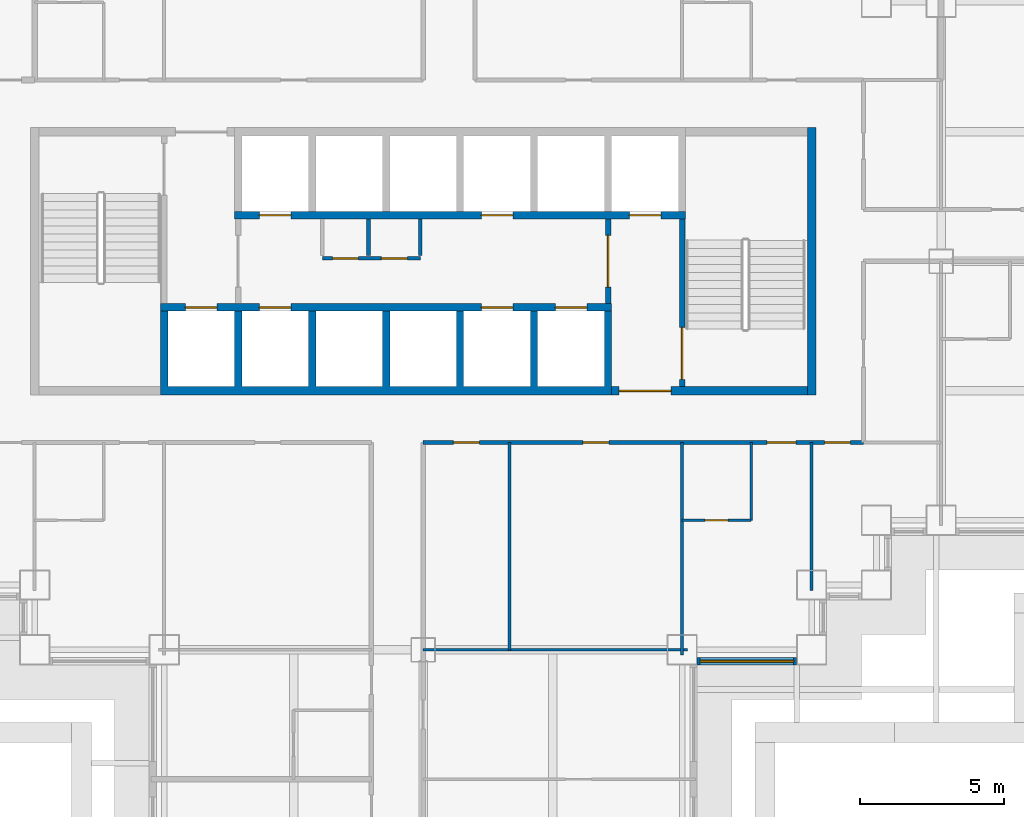
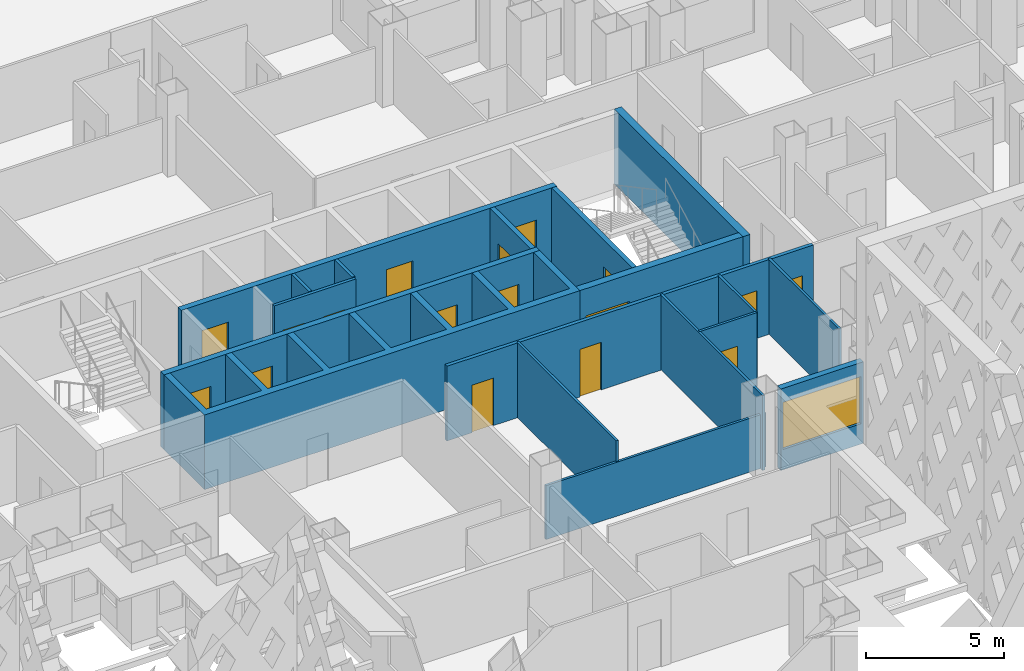
# One storey, part 5 of 19: 18 walls, 17 doors, 1 window, 18 openings.
"""IFC4 building model written with IfcOpenShell, lengths in metres."""

from ifc_helpers import new_model, si_unit, direction, frame, frame_2d, origin, place, context, subcontext, project, spatial, polyline, rectangle, outline, extrude, material, layer, layer_set, type_object, element, fill, save


model = new_model("IFC4")

# Units and contexts
model_context = context("Model", 3, precision=1e-05, world=origin(), true_north=direction((0.0, 1.0)))
body_context = subcontext(model_context, "Body", "Model", "MODEL_VIEW")
ifc_project = project(units=[si_unit("LENGTHUNIT", "METRE"), si_unit("AREAUNIT", "SQUARE_METRE"), si_unit("VOLUMEUNIT", "CUBIC_METRE"), si_unit("PLANEANGLEUNIT", "RADIAN"), si_unit("MASSUNIT", "GRAM", prefix="KILO")], contexts=[model_context])

# Site, building, storey
site_placement = place(None, origin())
site = spatial("IfcSite", under=ifc_project, at=site_placement, CompositionType="ELEMENT")
building_placement = place(site_placement, origin())
building = spatial("IfcBuilding", under=site, at=building_placement, Name="Caravel Reach Hotel and Residences", CompositionType="ELEMENT")
storey_placement = place(building_placement, frame((0.0, 0.0, 52.800048828125)))
storey = spatial("IfcBuildingStorey", under=building, at=storey_placement, Name="L11", CompositionType="ELEMENT", Elevation=52.800048828125)

# Wall, opening, door
ifc_material_1 = material(Name="Gypsum board on steel stud", Category="steel")
ifc_layer_1 = layer(ifc_material_1, 0.10009765625)
ifc_layer_set_1 = layer_set([ifc_layer_1], Name="Bathroom pod wall 100 mm")
wall_type_1 = type_object("IfcWallType", Name="Bathroom pod wall 100 mm", PredefinedType="PARTITIONING", material=ifc_layer_set_1)
wall_1_placement = place(storey_placement, frame((40.5, 18.0, 0.0), z_axis=(0.0, 0.0, 1.0), x_axis=(1.0, 0.0, 0.0)))
wall_1 = element("IfcWall", 1, at=wall_1_placement, inside=storey, type_object=wall_type_1, Name="L11 wall w076", PredefinedType="PARTITIONING", context=body_context, shape_type="SweptSolid", body=[
    extrude(rectangle(XDim=2.39990234375, YDim=0.10009765625, at=frame_2d((1.199951171875, 0.0))), origin(), (0.0, 0.0, 1.0), 3.300048828125),
])
opening_1_placement = place(wall_1_placement, frame((0.800048828125, 0.0, 0.0)))
opening_1 = element("IfcOpeningElement", 2, at=opening_1_placement, cuts=wall_1, Name="Opening D11-051", PredefinedType="OPENING", context=body_context, shape_type="SweptSolid", body=[
    extrude(rectangle(XDim=0.800048828125, YDim=2.10009765625, at=frame_2d((0.39990234375, 1.050048828125))), frame((0.0, 0.06005859375, 0.0), z_axis=(0.0, -1.0, 0.0), x_axis=(1.0, 0.0, 0.0)), (0.0, 0.0, 1.0), 0.1201171875),
])
ifc_material_2 = material(Name="Timber and steel door leaf", Category="steel")
door_type_1 = type_object("IfcDoorType", Name="Bathroom door 800 x 2100", OperationType="SINGLE_SWING_LEFT", PredefinedType="DOOR", material=ifc_material_2)
door_1_placement = place(opening_1_placement, origin())
door_1 = element("IfcDoor", 3, at=door_1_placement, inside=storey, type_object=door_type_1, Name="door D11-051", OperationType="SINGLE_SWING_LEFT", OverallHeight=2.10009765625, OverallWidth=0.800048828125, PredefinedType="DOOR", context=body_context, shape_type="SweptSolid", body=[
    extrude(rectangle(XDim=0.800048828125, YDim=2.10009765625, at=frame_2d((0.39990234375, 1.050048828125))), frame((0.0, 0.02490234375, 0.0), z_axis=(0.0, -1.0, 0.0), x_axis=(1.0, 0.0, 0.0)), (0.0, 0.0, 1.0), 0.050048828125),
])
fill(opening_1, door_1)

# Wall
wall_2_placement = place(storey_placement, frame((42.89990234375, 18.0, 0.0), z_axis=(0.0, 0.0, 1.0), x_axis=(0.0, 1.0, 0.0)))
element("IfcWall", 4, at=wall_2_placement, inside=storey, type_object=wall_type_1, Name="L11 wall w098", PredefinedType="PARTITIONING", context=body_context, shape_type="SweptSolid", body=[
    extrude(rectangle(XDim=2.699951171875, YDim=0.10009765625, at=frame_2d((1.35009765625, 0.0))), origin(), (0.0, 0.0, 1.0), 3.300048828125),
])

# Wall, opening, door
ifc_material_3 = material(Name="Concrete C60", Category="concrete")
ifc_layer_2 = layer(ifc_material_3, 0.300048828125)
ifc_layer_set_2 = layer_set([ifc_layer_2], Name="Core wall 300 mm EI 120")
wall_type_2 = type_object("IfcWallType", Name="Core wall 300 mm EI 120", PredefinedType="SHEAR", material=ifc_layer_set_2)
wall_3_placement = place(storey_placement, frame((38.053466796875, 22.5, 0.0), z_axis=(0.0, 0.0, 1.0), x_axis=(1.0, 0.0, 0.0)))
wall_3 = element("IfcWall", 5, at=wall_3_placement, inside=storey, type_object=wall_type_2, Name="L11 core wall S2", PredefinedType="SHEAR", context=body_context, shape_type="SweptSolid", body=[
    extrude(rectangle(XDim=6.796630859375, YDim=0.300048828125, at=frame_2d((3.3984375, 0.0))), origin(), (0.0, 0.0, 1.0), 3.300048828125),
])
opening_2_placement = place(wall_3_placement, frame((0.2607421875, 0.0, 0.0)))
opening_2 = element("IfcOpeningElement", 6, at=opening_2_placement, cuts=wall_3, Name="Opening D11-015", PredefinedType="OPENING", context=body_context, shape_type="SweptSolid", body=[
    extrude(rectangle(XDim=1.800048828125, YDim=2.10009765625, at=frame_2d((0.89990234375, 1.050048828125))), frame((0.0, 0.159912109375, 0.0), z_axis=(0.0, -1.0, 0.0), x_axis=(1.0, 0.0, 0.0)), (0.0, 0.0, 1.0), 0.320068359375),
])
ifc_material_4 = material(Name="Steel fire door leaf", Category="steel")
door_type_2 = type_object("IfcDoorType", Name="Fire lobby door pair 1800 x 2100 EI 90", OperationType="DOUBLE_DOOR_SINGLE_SWING", PredefinedType="DOOR", material=ifc_material_4)
door_2_placement = place(opening_2_placement, origin())
door_2 = element("IfcDoor", 7, at=door_2_placement, inside=storey, type_object=door_type_2, Name="lobby S door pair to corridor", OperationType="DOUBLE_DOOR_SINGLE_SWING", OverallHeight=2.10009765625, OverallWidth=1.800048828125, PredefinedType="DOOR", context=body_context, shape_type="SweptSolid", body=[
    extrude(rectangle(XDim=1.800048828125, YDim=2.10009765625, at=frame_2d((0.89990234375, 1.050048828125))), frame((0.0, 0.02490234375, 0.0), z_axis=(0.0, -1.0, 0.0), x_axis=(1.0, 0.0, 0.0)), (0.0, 0.0, 1.0), 0.050048828125),
])
fill(opening_2, door_2)

# Wall
wall_4_placement = place(storey_placement, frame((45.0, 22.35009765625, 0.0), z_axis=(0.0, 0.0, 1.0), x_axis=(0.0, 1.0, 0.0)))
element("IfcWall", 8, at=wall_4_placement, inside=storey, type_object=wall_type_2, Name="L11 core wall E", PredefinedType="SHEAR", context=body_context, shape_type="SweptSolid", body=[
    extrude(rectangle(XDim=9.2998046875, YDim=0.300048828125, at=frame_2d((4.64990234375, 0.0))), origin(), (0.0, 0.0, 1.0), 3.300048828125),
])

# Wall, openings, doors
ifc_material_5 = material(Name="Gypsum board on steel stud, fire-rated", Category="steel")
ifc_layer_3 = layer(ifc_material_5, 0.14990234375)
ifc_layer_set_3 = layer_set([ifc_layer_3], Name="Corridor wall 150 mm EI 60")
wall_type_3 = type_object("IfcWallType", Name="Corridor wall 150 mm EI 60", PredefinedType="PARTITIONING", material=ifc_layer_set_3)
wall_5_placement = place(storey_placement, frame((31.5, 20.699951171875, 0.0), z_axis=(0.0, 0.0, 1.0), x_axis=(1.0, 0.0, 0.0)))
wall_5 = element("IfcWall", 9, at=wall_5_placement, inside=storey, type_object=wall_type_3, Name="L11 wall w004", PredefinedType="PARTITIONING", context=body_context, shape_type="SweptSolid", body=[
    extrude(rectangle(XDim=15.300048828125, YDim=0.14990234375, at=frame_2d((7.64990234375, 0.0))), origin(), (0.0, 0.0, 1.0), 3.300048828125),
])
opening_3_placement = place(wall_5_placement, frame((11.949951171875, 0.0, 0.0)))
opening_3 = element("IfcOpeningElement", 10, at=opening_3_placement, cuts=wall_5, Name="Opening D11-050", PredefinedType="OPENING", context=body_context, shape_type="SweptSolid", body=[
    extrude(rectangle(XDim=1.0, YDim=2.10009765625, at=frame_2d((0.5, 1.050048828125))), frame((0.0, 0.0849609375, 0.0), z_axis=(0.0, -1.0, 0.0), x_axis=(1.0, 0.0, 0.0)), (0.0, 0.0, 1.0), 0.169921875),
])
opening_4_placement = place(wall_5_placement, frame((13.949951171875, 0.0, 0.0)))
opening_4 = element("IfcOpeningElement", 11, at=opening_4_placement, cuts=wall_5, Name="Opening D11-052", PredefinedType="OPENING", context=body_context, shape_type="SweptSolid", body=[
    extrude(rectangle(XDim=0.89990234375, YDim=2.10009765625, at=frame_2d((0.449951171875, 1.050048828125))), frame((0.0, 0.0849609375, 0.0), z_axis=(0.0, -1.0, 0.0), x_axis=(1.0, 0.0, 0.0)), (0.0, 0.0, 1.0), 0.169921875),
])
opening_5_placement = place(wall_5_placement, frame((1.050048828125, 0.0, 0.0)))
opening_5 = element("IfcOpeningElement", 12, at=opening_5_placement, cuts=wall_5, Name="Opening D11-056", PredefinedType="OPENING", context=body_context, shape_type="SweptSolid", body=[
    extrude(rectangle(XDim=0.89990234375, YDim=2.10009765625, at=frame_2d((0.449951171875, 1.050048828125))), frame((0.0, 0.0849609375, 0.0), z_axis=(0.0, -1.0, 0.0), x_axis=(1.0, 0.0, 0.0)), (0.0, 0.0, 1.0), 0.169921875),
])
opening_6_placement = place(wall_5_placement, frame((5.550048828125, 0.0, 0.0)))
opening_6 = element("IfcOpeningElement", 13, at=opening_6_placement, cuts=wall_5, Name="Opening D11-057", PredefinedType="OPENING", context=body_context, shape_type="SweptSolid", body=[
    extrude(rectangle(XDim=0.89990234375, YDim=2.10009765625, at=frame_2d((0.449951171875, 1.050048828125))), frame((0.0, 0.0849609375, 0.0), z_axis=(0.0, -1.0, 0.0), x_axis=(1.0, 0.0, 0.0)), (0.0, 0.0, 1.0), 0.169921875),
])
ifc_material_6 = material(Name="Timber and steel door leaf", Category="steel")
door_type_3 = type_object("IfcDoorType", Name="Door 900 x 2100 timber", OperationType="SINGLE_SWING_LEFT", PredefinedType="DOOR", material=ifc_material_6)
door_3_placement = place(opening_4_placement, origin())
door_3 = element("IfcDoor", 14, at=door_3_placement, inside=storey, type_object=door_type_3, Name="door D11-052", OperationType="SINGLE_SWING_RIGHT", OverallHeight=2.10009765625, OverallWidth=0.89990234375, PredefinedType="DOOR", context=body_context, shape_type="SweptSolid", body=[
    extrude(rectangle(XDim=0.89990234375, YDim=2.10009765625, at=frame_2d((0.449951171875, 1.050048828125))), frame((0.0, 0.02490234375, 0.0), z_axis=(0.0, -1.0, 0.0), x_axis=(1.0, 0.0, 0.0)), (0.0, 0.0, 1.0), 0.050048828125),
])
fill(opening_4, door_3)
door_4_placement = place(opening_5_placement, origin())
door_4 = element("IfcDoor", 15, at=door_4_placement, inside=storey, type_object=door_type_3, Name="door D11-056", OperationType="SINGLE_SWING_LEFT", OverallHeight=2.10009765625, OverallWidth=0.89990234375, PredefinedType="DOOR", context=body_context, shape_type="SweptSolid", body=[
    extrude(rectangle(XDim=0.89990234375, YDim=2.10009765625, at=frame_2d((0.449951171875, 1.050048828125))), frame((0.0, 0.02490234375, 0.0), z_axis=(0.0, -1.0, 0.0), x_axis=(1.0, 0.0, 0.0)), (0.0, 0.0, 1.0), 0.050048828125),
])
fill(opening_5, door_4)
door_5_placement = place(opening_6_placement, origin())
door_5 = element("IfcDoor", 16, at=door_5_placement, inside=storey, type_object=door_type_3, Name="door D11-057", OperationType="SINGLE_SWING_RIGHT", OverallHeight=2.10009765625, OverallWidth=0.89990234375, PredefinedType="DOOR", context=body_context, shape_type="SweptSolid", body=[
    extrude(rectangle(XDim=0.89990234375, YDim=2.10009765625, at=frame_2d((0.449951171875, 1.050048828125))), frame((0.0, 0.02490234375, 0.0), z_axis=(0.0, -1.0, 0.0), x_axis=(1.0, 0.0, 0.0)), (0.0, 0.0, 1.0), 0.050048828125),
])
fill(opening_6, door_5)
ifc_material_7 = material(Name="Steel fire door leaf", Category="steel")
door_type_4 = type_object("IfcDoorType", Name="Guest room door 1000 x 2100 EI 30", OperationType="SINGLE_SWING_LEFT", PredefinedType="DOOR", material=ifc_material_7)
door_6_placement = place(opening_3_placement, origin())
door_6 = element("IfcDoor", 17, at=door_6_placement, inside=storey, type_object=door_type_4, Name="door D11-050", OperationType="SINGLE_SWING_RIGHT", OverallHeight=2.10009765625, OverallWidth=1.0, PredefinedType="DOOR", context=body_context, shape_type="SweptSolid", body=[
    extrude(rectangle(XDim=1.0, YDim=2.10009765625, at=frame_2d((0.5, 1.050048828125))), frame((0.0, 0.02490234375, 0.0), z_axis=(0.0, -1.0, 0.0), x_axis=(1.0, 0.0, 0.0)), (0.0, 0.0, 1.0), 0.050048828125),
])
fill(opening_3, door_6)

# Wall, opening, window
ifc_material_8 = material(Name="Insulated rainscreen wall, aluminium cladding", Category="aluminium")
ifc_layer_4 = layer(ifc_material_8, 0.25)
ifc_layer_set_4 = layer_set([ifc_layer_4], Name="EW1 Tower rainscreen wall")
wall_type_4 = type_object("IfcWallType", Name="EW1 Tower rainscreen wall", PredefinedType="SOLIDWALL", material=ifc_layer_set_4)
wall_6_placement = place(storey_placement, frame((41.02490234375, 13.10009765625, 0.0), z_axis=(0.0, 0.0, 1.0), x_axis=(1.0, 0.0, 0.0)))
wall_6 = element("IfcWall", 18, at=wall_6_placement, inside=storey, type_object=wall_type_4, Name="External wall L11 S11.1", PredefinedType="SOLIDWALL", context=body_context, shape_type="SweptSolid", body=[
    extrude(rectangle(XDim=3.4501953125, YDim=0.25, at=frame_2d((1.72509765625, 0.0))), origin(), (0.0, 0.0, 1.0), 3.599853515625),
])
opening_7_placement = place(wall_6_placement, frame((0.10009765625, 0.0, 0.89990234375)))
opening_7 = element("IfcOpeningElement", 19, at=opening_7_placement, cuts=wall_6, Name="Opening WN2", PredefinedType="OPENING", context=body_context, shape_type="SweptSolid", body=[
    extrude(rectangle(XDim=3.25, YDim=2.080078125, at=frame_2d((1.625, 1.0400390625))), frame((0.0, 0.135009765625, 0.0), z_axis=(0.0, -1.0, 0.0), x_axis=(1.0, 0.0, 0.0)), (0.0, 0.0, 1.0), 0.27001953125),
])
ifc_material_9 = material(Name="Dark low-e glazing in black aluminium frame", Category="aluminium")
window_type = type_object("IfcWindowType", Name="Hotel guest room window 3250 x 2080", PartitioningType="SINGLE_PANEL", PredefinedType="WINDOW", material=ifc_material_9)
window_placement = place(opening_7_placement, origin())
window = element("IfcWindow", 20, at=window_placement, inside=storey, type_object=window_type, Name="Window L11 S11.1.1", OverallHeight=2.080078125, OverallWidth=3.25, PartitioningType="SINGLE_PANEL", PredefinedType="WINDOW", context=body_context, shape_type="SweptSolid", body=[
    extrude(rectangle(XDim=3.25, YDim=2.080078125, at=frame_2d((1.625, 1.0400390625))), frame((0.0, 0.030029296875, 0.0), z_axis=(0.0, -1.0, 0.0), x_axis=(1.0, 0.0, 0.0)), (0.0, 0.0, 1.0), 0.06005859375),
])
fill(opening_7, window)

# Wall, opening, door
ifc_material_10 = material(Name="Autoclaved aerated block wall")
ifc_layer_5 = layer(ifc_material_10, 0.199951171875)
ifc_layer_set_5 = layer_set([ifc_layer_5], Name="Fire lobby wall 200 mm EI 120")
wall_type_5 = type_object("IfcWallType", Name="Fire lobby wall 200 mm EI 120", PredefinedType="PARTITIONING", material=ifc_layer_set_5)
wall_7_placement = place(storey_placement, frame((37.928466796875, 25.52490234375, 0.0), z_axis=(0.0, 0.0, 1.0), x_axis=(0.0, 1.0, 0.0)))
wall_7 = element("IfcWall", 21, at=wall_7_placement, inside=storey, type_object=wall_type_5, Name="L11 lobby E wall", PredefinedType="PARTITIONING", context=body_context, shape_type="SweptSolid", body=[
    extrude(rectangle(XDim=2.9501953125, YDim=0.199951171875, at=frame_2d((1.47509765625, 0.0))), origin(), (0.0, 0.0, 1.0), 3.300048828125),
])
opening_8_placement = place(wall_7_placement, frame((0.574951171875, 0.0, 0.0)))
opening_8 = element("IfcOpeningElement", 22, at=opening_8_placement, cuts=wall_7, Name="Opening D11-013", PredefinedType="OPENING", context=body_context, shape_type="SweptSolid", body=[
    extrude(rectangle(XDim=1.800048828125, YDim=2.10009765625, at=frame_2d((0.89990234375, 1.050048828125))), frame((0.0, 0.10986328125, 0.0), z_axis=(0.0, -1.0, 0.0), x_axis=(1.0, 0.0, 0.0)), (0.0, 0.0, 1.0), 0.219970703125),
])
door_7_placement = place(opening_8_placement, origin())
door_7 = element("IfcDoor", 23, at=door_7_placement, inside=storey, type_object=door_type_2, Name="lobby E door pair", OperationType="DOUBLE_DOOR_SINGLE_SWING", OverallHeight=2.10009765625, OverallWidth=1.800048828125, PredefinedType="DOOR", context=body_context, shape_type="SweptSolid", body=[
    extrude(rectangle(XDim=1.800048828125, YDim=2.10009765625, at=frame_2d((0.89990234375, 1.050048828125))), frame((0.0, 0.02490234375, 0.0), z_axis=(0.0, -1.0, 0.0), x_axis=(1.0, 0.0, 0.0)), (0.0, 0.0, 1.0), 0.050048828125),
])
fill(opening_8, door_7)

# Walls
ifc_material_11 = material(Name="Gypsum board on steel stud", Category="steel")
ifc_layer_6 = layer(ifc_material_11, 0.10009765625)
ifc_layer_set_6 = layer_set([ifc_layer_6], Name="Partition 100 mm")
wall_type_6 = type_object("IfcWallType", Name="Partition 100 mm", PredefinedType="PARTITIONING", material=ifc_layer_set_6)
wall_8_placement = place(storey_placement, frame((31.5, 13.5, 0.0), z_axis=(0.0, 0.0, 1.0), x_axis=(1.0, 0.0, 0.0)))
element("IfcWall", 24, at=wall_8_placement, inside=storey, type_object=wall_type_6, Name="L11 wall w041", PredefinedType="PARTITIONING", context=body_context, shape_type="SweptSolid", body=[
    extrude(rectangle(XDim=9.18994140625, YDim=0.10009765625, at=frame_2d((4.594970703125, 0.0))), origin(), (0.0, 0.0, 1.0), 2.3798828125),
])
wall_9_placement = place(storey_placement, frame((34.5, 13.5, 0.0), z_axis=(0.0, 0.0, 1.0), x_axis=(0.0, 1.0, 0.0)))
element("IfcWall", 25, at=wall_9_placement, inside=storey, type_object=wall_type_6, Name="L11 wall w059", PredefinedType="PARTITIONING", context=body_context, shape_type="SweptSolid", body=[
    extrude(rectangle(XDim=7.199951171875, YDim=0.10009765625, at=frame_2d((3.60009765625, 0.0))), origin(), (0.0, 0.0, 1.0), 3.300048828125),
])
wall_10_placement = place(storey_placement, frame((40.5, 13.31005859375, 0.0), z_axis=(0.0, 0.0, 1.0), x_axis=(0.0, 1.0, 0.0)))
element("IfcWall", 26, at=wall_10_placement, inside=storey, type_object=wall_type_6, Name="L11 wall w061", PredefinedType="PARTITIONING", context=body_context, shape_type="SweptSolid", body=[
    extrude(rectangle(XDim=7.389892578125, YDim=0.10009765625, at=frame_2d((3.69482421875, 0.0))), origin(), (0.0, 0.0, 1.0), 3.300048828125),
])
wall_11_placement = place(storey_placement, frame((45.0, 15.56005859375, 0.0), z_axis=(0.0, 0.0, 1.0), x_axis=(0.0, 1.0, 0.0)))
element("IfcWall", 27, at=wall_11_placement, inside=storey, type_object=wall_type_6, Name="L11 wall w062", PredefinedType="PARTITIONING", context=body_context, shape_type="SweptSolid", body=[
    extrude(rectangle(XDim=5.139892578125, YDim=0.10009765625, at=frame_2d((2.56982421875, 0.0))), origin(), (0.0, 0.0, 1.0), 3.300048828125),
])

# Wall, openings, doors
ifc_material_12 = material(Name="Autoclaved aerated block wall")
ifc_layer_7 = layer(ifc_material_12, 0.125)
ifc_layer_set_7 = layer_set([ifc_layer_7], Name="Riser wall 125 mm EI 60")
wall_type_7 = type_object("IfcWallType", Name="Riser wall 125 mm EI 60", PredefinedType="PARTITIONING", material=ifc_layer_set_7)
wall_12_placement = place(storey_placement, frame((28.0, 27.10009765625, 0.0), z_axis=(0.0, 0.0, 1.0), x_axis=(1.0, 0.0, 0.0)))
wall_12 = element("IfcWall", 28, at=wall_12_placement, inside=storey, type_object=wall_type_7, Name="L11 service room wall N1", PredefinedType="PARTITIONING", context=body_context, shape_type="SweptSolid", body=[
    extrude(rectangle(XDim=3.39990234375, YDim=0.125, at=frame_2d((1.699951171875, 0.0))), origin(), (0.0, 0.0, 1.0), 3.300048828125),
])
opening_9_placement = place(wall_12_placement, frame((0.35009765625, 0.0, 0.0)))
opening_9 = element("IfcOpeningElement", 29, at=opening_9_placement, cuts=wall_12, Name="Opening D11-008", PredefinedType="OPENING", context=body_context, shape_type="SweptSolid", body=[
    extrude(rectangle(XDim=0.89990234375, YDim=2.10009765625, at=frame_2d((0.449951171875, 1.050048828125))), frame((0.0, 0.072509765625, 0.0), z_axis=(0.0, -1.0, 0.0), x_axis=(1.0, 0.0, 0.0)), (0.0, 0.0, 1.0), 0.14501953125),
])
opening_10_placement = place(wall_12_placement, frame((2.050048828125, 0.0, 0.0)))
opening_10 = element("IfcOpeningElement", 30, at=opening_10_placement, cuts=wall_12, Name="Opening D11-009", PredefinedType="OPENING", context=body_context, shape_type="SweptSolid", body=[
    extrude(rectangle(XDim=0.89990234375, YDim=2.10009765625, at=frame_2d((0.449951171875, 1.050048828125))), frame((0.0, 0.072509765625, 0.0), z_axis=(0.0, -1.0, 0.0), x_axis=(1.0, 0.0, 0.0)), (0.0, 0.0, 1.0), 0.14501953125),
])
ifc_material_13 = material(Name="Steel fire door leaf", Category="steel")
door_type_5 = type_object("IfcDoorType", Name="Riser door 900 x 2100 EI 60", OperationType="SINGLE_SWING_LEFT", PredefinedType="DOOR", material=ifc_material_13)
door_8_placement = place(opening_9_placement, origin())
door_8 = element("IfcDoor", 31, at=door_8_placement, inside=storey, type_object=door_type_5, Name="Linen store door", OperationType="SINGLE_SWING_LEFT", OverallHeight=2.10009765625, OverallWidth=0.89990234375, PredefinedType="DOOR", context=body_context, shape_type="SweptSolid", body=[
    extrude(rectangle(XDim=0.89990234375, YDim=2.10009765625, at=frame_2d((0.449951171875, 1.050048828125))), frame((0.0, 0.02490234375, 0.0), z_axis=(0.0, -1.0, 0.0), x_axis=(1.0, 0.0, 0.0)), (0.0, 0.0, 1.0), 0.050048828125),
])
fill(opening_9, door_8)
door_9_placement = place(opening_10_placement, origin())
door_9 = element("IfcDoor", 32, at=door_9_placement, inside=storey, type_object=door_type_5, Name="Floor pantry door", OperationType="SINGLE_SWING_LEFT", OverallHeight=2.10009765625, OverallWidth=0.89990234375, PredefinedType="DOOR", context=body_context, shape_type="SweptSolid", body=[
    extrude(rectangle(XDim=0.89990234375, YDim=2.10009765625, at=frame_2d((0.449951171875, 1.050048828125))), frame((0.0, 0.02490234375, 0.0), z_axis=(0.0, -1.0, 0.0), x_axis=(1.0, 0.0, 0.0)), (0.0, 0.0, 1.0), 0.050048828125),
])
fill(opening_10, door_9)

# Walls
for number, where, z_axis, x_axis, name in (
    (33, (29.60009765625, 28.47509765625, 0.0), (0.0, 0.0, 1.0), (0.0, -1.0, 0.0), "L11 service room partition N1"),
    (34, (31.39990234375, 28.47509765625, 0.0), (0.0, 0.0, 1.0), (0.0, -1.0, 0.0), "L11 service room partition N1"),
):
    element("IfcWall", number, at=place(storey_placement, frame(where, z_axis=z_axis, x_axis=x_axis)), inside=storey, type_object=wall_type_7, Name=name, PredefinedType="PARTITIONING", context=body_context, shape_type="SweptSolid", body=[
        extrude(rectangle(XDim=1.275146484375, YDim=0.125, at=frame_2d((0.6376953125, 0.0))), origin(), (0.0, 0.0, 1.0), 3.300048828125),
    ])
ifc_material_14 = material(Name="Concrete C60", Category="concrete")
ifc_layer_8 = layer(ifc_material_14, 0.25)
ifc_layer_set_8 = layer_set([ifc_layer_8], Name="Shaft wall 250 mm EI 120")
wall_type_8 = type_object("IfcWallType", Name="Shaft wall 250 mm EI 120", PredefinedType="SHEAR", material=ifc_layer_set_8)
wall_13_placement = place(storey_placement, origin())
element("IfcWall", 35, at=wall_13_placement, inside=storey, type_object=wall_type_8, Name="L11 lift shaft wall S1", PredefinedType="SHEAR", context=body_context, shape_type="SweptSolid", body=[
    extrude(outline(polyline([(22.375, 22.35009765625), (38.053466796875, 22.35009765625), (38.053466796875, 25.27490234375), (37.803466796875, 25.27490234375), (37.803466796875, 22.64990234375), (35.482177734375, 22.64990234375), (35.482177734375, 25.27490234375), (35.232177734375, 25.27490234375), (35.232177734375, 22.64990234375), (32.91064453125, 22.64990234375), (32.91064453125, 25.27490234375), (32.66064453125, 25.27490234375), (32.66064453125, 22.64990234375), (30.33935546875, 22.64990234375), (30.33935546875, 25.27490234375), (30.08935546875, 25.27490234375), (30.08935546875, 22.64990234375), (27.767822265625, 22.64990234375), (27.767822265625, 25.27490234375), (27.517822265625, 25.27490234375), (27.517822265625, 22.64990234375), (25.196533203125, 22.64990234375), (25.196533203125, 25.27490234375), (24.946533203125, 25.27490234375), (24.946533203125, 22.64990234375), (22.625, 22.64990234375), (22.625, 25.27490234375), (22.375, 25.27490234375), (22.375, 22.35009765625)])), origin(), (0.0, 0.0, 1.0), 3.300048828125),
])

# Wall, openings, doors
wall_14_placement = place(storey_placement, frame((22.375, 25.39990234375, 0.0), z_axis=(0.0, 0.0, 1.0), x_axis=(1.0, 0.0, 0.0)))
wall_14 = element("IfcWall", 36, at=wall_14_placement, inside=storey, type_object=wall_type_8, Name="L11 lobby wall S1", PredefinedType="SHEAR", context=body_context, shape_type="SweptSolid", body=[
    extrude(rectangle(XDim=15.678466796875, YDim=0.25, at=frame_2d((7.83935546875, 0.0))), origin(), (0.0, 0.0, 1.0), 3.300048828125),
])
opening_11_placement = place(wall_14_placement, frame((3.43212890625, 0.0, 0.0)))
opening_11 = element("IfcOpeningElement", 37, at=opening_11_placement, cuts=wall_14, Name="Opening D11-001", PredefinedType="OPENING", context=body_context, shape_type="SweptSolid", body=[
    extrude(rectangle(XDim=1.10009765625, YDim=2.10009765625, at=frame_2d((0.550048828125, 1.050048828125))), frame((0.0, 0.135009765625, 0.0), z_axis=(0.0, -1.0, 0.0), x_axis=(1.0, 0.0, 0.0)), (0.0, 0.0, 1.0), 0.27001953125),
])
opening_12_placement = place(wall_14_placement, frame((11.146484375, 0.0, 0.0)))
opening_12 = element("IfcOpeningElement", 38, at=opening_12_placement, cuts=wall_14, Name="Opening D11-002", PredefinedType="OPENING", context=body_context, shape_type="SweptSolid", body=[
    extrude(rectangle(XDim=1.10009765625, YDim=2.10009765625, at=frame_2d((0.550048828125, 1.050048828125))), frame((0.0, 0.135009765625, 0.0), z_axis=(0.0, -1.0, 0.0), x_axis=(1.0, 0.0, 0.0)), (0.0, 0.0, 1.0), 0.27001953125),
])
opening_13_placement = place(wall_14_placement, frame((13.718017578125, 0.0, 0.0)))
opening_13 = element("IfcOpeningElement", 39, at=opening_13_placement, cuts=wall_14, Name="Opening D11-003", PredefinedType="OPENING", context=body_context, shape_type="SweptSolid", body=[
    extrude(rectangle(XDim=1.10009765625, YDim=2.10009765625, at=frame_2d((0.550048828125, 1.050048828125))), frame((0.0, 0.135009765625, 0.0), z_axis=(0.0, -1.0, 0.0), x_axis=(1.0, 0.0, 0.0)), (0.0, 0.0, 1.0), 0.27001953125),
])
opening_14_placement = place(wall_14_placement, frame((0.860595703125, 0.0, 0.0)))
opening_14 = element("IfcOpeningElement", 40, at=opening_14_placement, cuts=wall_14, Name="Opening D11-006", PredefinedType="OPENING", context=body_context, shape_type="SweptSolid", body=[
    extrude(rectangle(XDim=1.10009765625, YDim=2.10009765625, at=frame_2d((0.550048828125, 1.050048828125))), frame((0.0, 0.135009765625, 0.0), z_axis=(0.0, -1.0, 0.0), x_axis=(1.0, 0.0, 0.0)), (0.0, 0.0, 1.0), 0.27001953125),
])
ifc_material_15 = material(Name="Stainless steel landing door", Category="steel")
door_type_6 = type_object("IfcDoorType", Name="Landing door LD 1100 x 2100 sliding", OperationType="DOUBLE_DOOR_SLIDING", PredefinedType="DOOR", material=ifc_material_15)
door_10_placement = place(opening_11_placement, origin())
door_10 = element("IfcDoor", 41, at=door_10_placement, inside=storey, type_object=door_type_6, Name="LP1 landing door", OperationType="DOUBLE_DOOR_SLIDING", OverallHeight=2.10009765625, OverallWidth=1.10009765625, PredefinedType="DOOR", context=body_context, shape_type="SweptSolid", body=[
    extrude(rectangle(XDim=1.10009765625, YDim=2.10009765625, at=frame_2d((0.550048828125, 1.050048828125))), frame((0.0, 0.02490234375, 0.0), z_axis=(0.0, -1.0, 0.0), x_axis=(1.0, 0.0, 0.0)), (0.0, 0.0, 1.0), 0.050048828125),
])
fill(opening_11, door_10)
door_11_placement = place(opening_12_placement, origin())
door_11 = element("IfcDoor", 42, at=door_11_placement, inside=storey, type_object=door_type_6, Name="LP2 landing door", OperationType="DOUBLE_DOOR_SLIDING", OverallHeight=2.10009765625, OverallWidth=1.10009765625, PredefinedType="DOOR", context=body_context, shape_type="SweptSolid", body=[
    extrude(rectangle(XDim=1.10009765625, YDim=2.10009765625, at=frame_2d((0.550048828125, 1.050048828125))), frame((0.0, 0.02490234375, 0.0), z_axis=(0.0, -1.0, 0.0), x_axis=(1.0, 0.0, 0.0)), (0.0, 0.0, 1.0), 0.050048828125),
])
fill(opening_12, door_11)
door_12_placement = place(opening_13_placement, origin())
door_12 = element("IfcDoor", 43, at=door_12_placement, inside=storey, type_object=door_type_6, Name="LP3 landing door", OperationType="DOUBLE_DOOR_SLIDING", OverallHeight=2.10009765625, OverallWidth=1.10009765625, PredefinedType="DOOR", context=body_context, shape_type="SweptSolid", body=[
    extrude(rectangle(XDim=1.10009765625, YDim=2.10009765625, at=frame_2d((0.550048828125, 1.050048828125))), frame((0.0, 0.02490234375, 0.0), z_axis=(0.0, -1.0, 0.0), x_axis=(1.0, 0.0, 0.0)), (0.0, 0.0, 1.0), 0.050048828125),
])
fill(opening_13, door_12)
door_13_placement = place(opening_14_placement, origin())
door_13 = element("IfcDoor", 44, at=door_13_placement, inside=storey, type_object=door_type_6, Name="FL1 landing door", OperationType="DOUBLE_DOOR_SLIDING", OverallHeight=2.10009765625, OverallWidth=1.10009765625, PredefinedType="DOOR", context=body_context, shape_type="SweptSolid", body=[
    extrude(rectangle(XDim=1.10009765625, YDim=2.10009765625, at=frame_2d((0.550048828125, 1.050048828125))), frame((0.0, 0.02490234375, 0.0), z_axis=(0.0, -1.0, 0.0), x_axis=(1.0, 0.0, 0.0)), (0.0, 0.0, 1.0), 0.050048828125),
])
fill(opening_14, door_13)

wall_15_placement = place(storey_placement, frame((24.946533203125, 28.60009765625, 0.0), z_axis=(0.0, 0.0, 1.0), x_axis=(1.0, 0.0, 0.0)))
wall_15 = element("IfcWall", 45, at=wall_15_placement, inside=storey, type_object=wall_type_8, Name="L11 lobby wall N1", PredefinedType="SHEAR", context=body_context, shape_type="SweptSolid", body=[
    extrude(rectangle(XDim=15.678466796875, YDim=0.25, at=frame_2d((7.83935546875, 0.0))), origin(), (0.0, 0.0, 1.0), 3.300048828125),
])
opening_15_placement = place(wall_15_placement, frame((0.860595703125, 0.0, 0.0)))
opening_15 = element("IfcOpeningElement", 46, at=opening_15_placement, cuts=wall_15, Name="Opening D11-004", PredefinedType="OPENING", context=body_context, shape_type="SweptSolid", body=[
    extrude(rectangle(XDim=1.10009765625, YDim=2.10009765625, at=frame_2d((0.550048828125, 1.050048828125))), frame((0.0, 0.135009765625, 0.0), z_axis=(0.0, -1.0, 0.0), x_axis=(1.0, 0.0, 0.0)), (0.0, 0.0, 1.0), 0.27001953125),
])
opening_16_placement = place(wall_15_placement, frame((8.574951171875, 0.0, 0.0)))
opening_16 = element("IfcOpeningElement", 47, at=opening_16_placement, cuts=wall_15, Name="Opening D11-005", PredefinedType="OPENING", context=body_context, shape_type="SweptSolid", body=[
    extrude(rectangle(XDim=1.10009765625, YDim=2.10009765625, at=frame_2d((0.550048828125, 1.050048828125))), frame((0.0, 0.135009765625, 0.0), z_axis=(0.0, -1.0, 0.0), x_axis=(1.0, 0.0, 0.0)), (0.0, 0.0, 1.0), 0.27001953125),
])
opening_17_placement = place(wall_15_placement, frame((13.718017578125, 0.0, 0.0)))
opening_17 = element("IfcOpeningElement", 48, at=opening_17_placement, cuts=wall_15, Name="Opening D11-007", PredefinedType="OPENING", context=body_context, shape_type="SweptSolid", body=[
    extrude(rectangle(XDim=1.10009765625, YDim=2.10009765625, at=frame_2d((0.550048828125, 1.050048828125))), frame((0.0, 0.135009765625, 0.0), z_axis=(0.0, -1.0, 0.0), x_axis=(1.0, 0.0, 0.0)), (0.0, 0.0, 1.0), 0.27001953125),
])
door_14_placement = place(opening_15_placement, origin())
door_14 = element("IfcDoor", 49, at=door_14_placement, inside=storey, type_object=door_type_6, Name="LP4 landing door", OperationType="DOUBLE_DOOR_SLIDING", OverallHeight=2.10009765625, OverallWidth=1.10009765625, PredefinedType="DOOR", context=body_context, shape_type="SweptSolid", body=[
    extrude(rectangle(XDim=1.10009765625, YDim=2.10009765625, at=frame_2d((0.550048828125, 1.050048828125))), frame((0.0, 0.02490234375, 0.0), z_axis=(0.0, -1.0, 0.0), x_axis=(1.0, 0.0, 0.0)), (0.0, 0.0, 1.0), 0.050048828125),
])
fill(opening_15, door_14)
door_15_placement = place(opening_16_placement, origin())
door_15 = element("IfcDoor", 50, at=door_15_placement, inside=storey, type_object=door_type_6, Name="LP5 landing door", OperationType="DOUBLE_DOOR_SLIDING", OverallHeight=2.10009765625, OverallWidth=1.10009765625, PredefinedType="DOOR", context=body_context, shape_type="SweptSolid", body=[
    extrude(rectangle(XDim=1.10009765625, YDim=2.10009765625, at=frame_2d((0.550048828125, 1.050048828125))), frame((0.0, 0.02490234375, 0.0), z_axis=(0.0, -1.0, 0.0), x_axis=(1.0, 0.0, 0.0)), (0.0, 0.0, 1.0), 0.050048828125),
])
fill(opening_16, door_15)
door_16_placement = place(opening_17_placement, origin())
door_16 = element("IfcDoor", 51, at=door_16_placement, inside=storey, type_object=door_type_6, Name="FL2 landing door", OperationType="DOUBLE_DOOR_SLIDING", OverallHeight=2.10009765625, OverallWidth=1.10009765625, PredefinedType="DOOR", context=body_context, shape_type="SweptSolid", body=[
    extrude(rectangle(XDim=1.10009765625, YDim=2.10009765625, at=frame_2d((0.550048828125, 1.050048828125))), frame((0.0, 0.02490234375, 0.0), z_axis=(0.0, -1.0, 0.0), x_axis=(1.0, 0.0, 0.0)), (0.0, 0.0, 1.0), 0.050048828125),
])
fill(opening_17, door_16)

# Wall, opening, door
ifc_material_16 = material(Name="Concrete C60", Category="concrete")
ifc_layer_9 = layer(ifc_material_16, 0.199951171875)
ifc_layer_set_9 = layer_set([ifc_layer_9], Name="Stair enclosure wall 200 mm EI 120")
wall_type_9 = type_object("IfcWallType", Name="Stair enclosure wall 200 mm EI 120", PredefinedType="SHEAR", material=ifc_layer_set_9)
wall_16_placement = place(storey_placement, frame((40.5, 22.64990234375, 0.0), z_axis=(0.0, 0.0, 1.0), x_axis=(0.0, 1.0, 0.0)))
wall_16 = element("IfcWall", 52, at=wall_16_placement, inside=storey, type_object=wall_type_9, Name="L11 stair B wall", PredefinedType="SHEAR", context=body_context, shape_type="SweptSolid", body=[
    extrude(rectangle(XDim=5.8251953125, YDim=0.199951171875, at=frame_2d((2.91259765625, 0.0))), origin(), (0.0, 0.0, 1.0), 3.300048828125),
])
opening_18_placement = place(wall_16_placement, frame((0.25, 0.0, 0.0)))
opening_18 = element("IfcOpeningElement", 53, at=opening_18_placement, cuts=wall_16, Name="Opening D11-011", PredefinedType="OPENING", context=body_context, shape_type="SweptSolid", body=[
    extrude(rectangle(XDim=1.800048828125, YDim=2.10009765625, at=frame_2d((0.89990234375, 1.050048828125))), frame((0.0, 0.10986328125, 0.0), z_axis=(0.0, -1.0, 0.0), x_axis=(1.0, 0.0, 0.0)), (0.0, 0.0, 1.0), 0.219970703125),
])
ifc_material_17 = material(Name="Steel fire door leaf", Category="steel")
door_type_7 = type_object("IfcDoorType", Name="Stair door pair 1800 x 2100 EI 90", OperationType="DOUBLE_DOOR_SINGLE_SWING", PredefinedType="DOOR", material=ifc_material_17)
door_17_placement = place(opening_18_placement, origin())
door_17 = element("IfcDoor", 54, at=door_17_placement, inside=storey, type_object=door_type_7, Name="stair B door pair", OperationType="DOUBLE_DOOR_SINGLE_SWING", OverallHeight=2.10009765625, OverallWidth=1.800048828125, PredefinedType="DOOR", context=body_context, shape_type="SweptSolid", body=[
    extrude(rectangle(XDim=1.800048828125, YDim=2.10009765625, at=frame_2d((0.89990234375, 1.050048828125))), frame((0.0, 0.02490234375, 0.0), z_axis=(0.0, -1.0, 0.0), x_axis=(1.0, 0.0, 0.0)), (0.0, 0.0, 1.0), 0.050048828125),
])
fill(opening_18, door_17)

save(model, "model.ifc")
